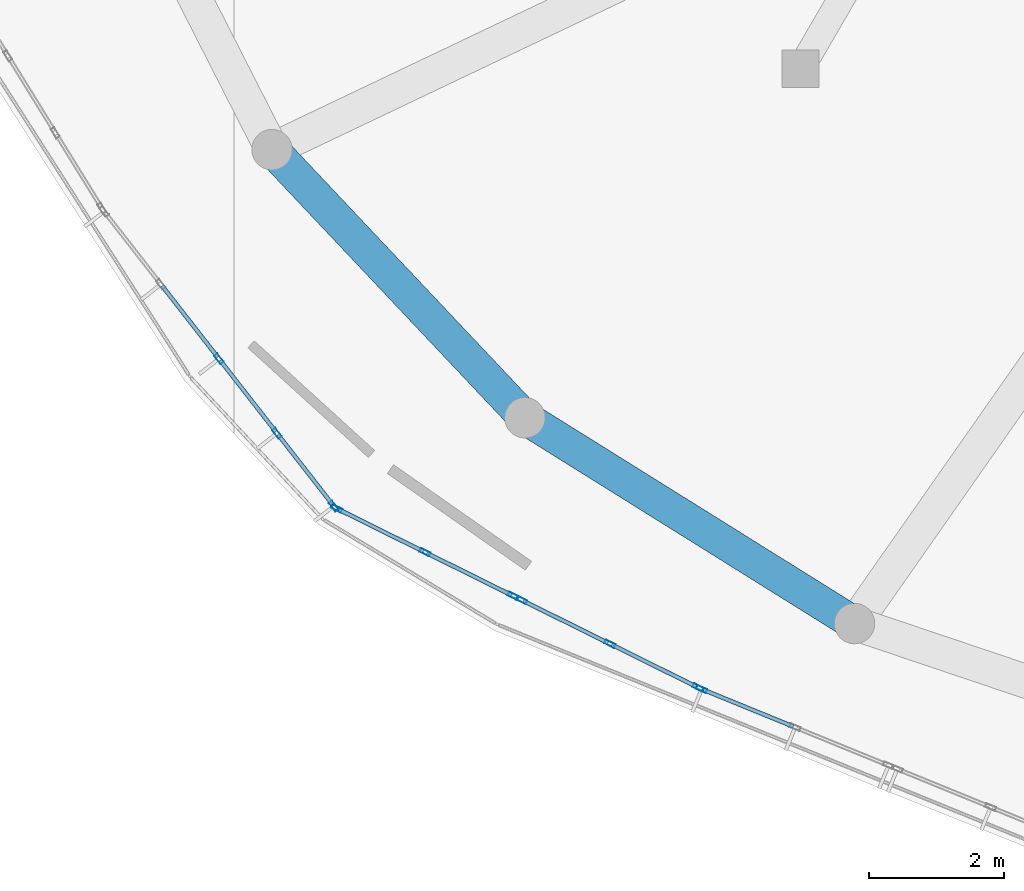
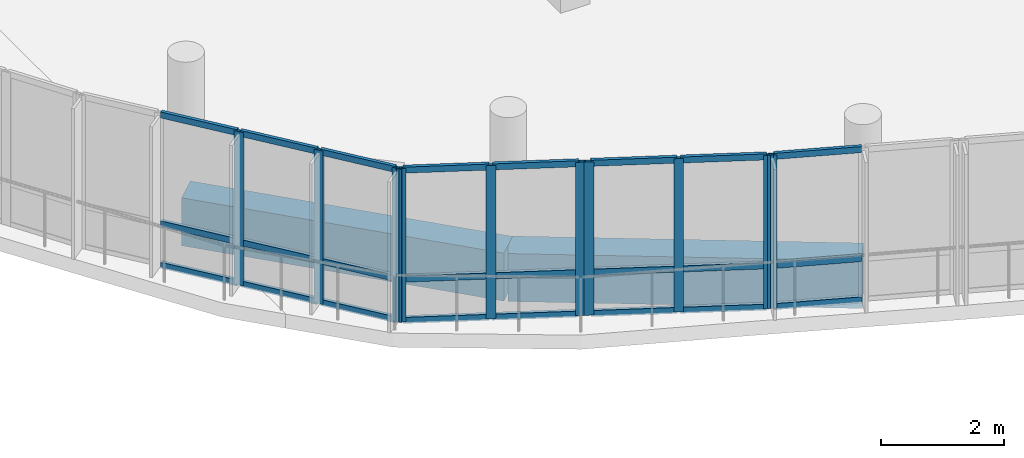
# One storey, part 4 of 43: 34 members, 2 beams, 4 elements without a shape of their own.
"""IFC4 building model written with IfcOpenShell, lengths in metres."""

from ifc_helpers import new_model, si_unit, derived_unit, direction, frame, origin, origin_2d, place, context, subcontext, project, spatial, rectangle, hollow_rectangle, extrude, material, layer, layer_set, material_profile, profile_set, type_object, element, aggregate, save


model = new_model("IFC4")

# Units and contexts
model_context = context("Model", 3, precision=1e-05, world=origin(), true_north=direction((0.0, 1.0)))
body_context = subcontext(model_context, "Body", "Model", "MODEL_VIEW")
ifc_project = project(units=[si_unit("LENGTHUNIT", "METRE"), si_unit("AREAUNIT", "SQUARE_METRE"), si_unit("VOLUMEUNIT", "CUBIC_METRE"), si_unit("PLANEANGLEUNIT", "RADIAN"), si_unit("MASSUNIT", "GRAM", prefix="KILO"), derived_unit("THERMALTRANSMITTANCEUNIT", [(si_unit("POWERUNIT", "WATT"), 1), (si_unit("LENGTHUNIT", "METRE"), -2), (si_unit("THERMODYNAMICTEMPERATUREUNIT", "KELVIN"), -1)])], contexts=[model_context])

# Site, building, storey
site_placement = place(None, origin())
site = spatial("IfcSite", under=ifc_project, at=site_placement, CompositionType="ELEMENT")
building_placement = place(site_placement, origin())
building = spatial("IfcBuilding", under=site, at=building_placement, Name="Elbkamm Science Centre", CompositionType="ELEMENT")
storey_placement = place(building_placement, frame((0.0, 0.0, 18.300048828125)))
storey = spatial("IfcBuildingStorey", under=building, at=storey_placement, Name="L04", CompositionType="ELEMENT", Elevation=18.300048828125)

# Beams
ifc_material_1 = material(Name="Concrete C40/50", Category="concrete")
ifc_material_profile_1 = material_profile(ifc_material_1, rectangle(XDim=0.5, YDim=0.949951171875, at=origin_2d()), Name="RC 500x950")
ifc_profile_set_1 = profile_set([ifc_material_profile_1], Name="Concrete C40/50")
beam_type = type_object("IfcBeamType", Name="BM-RC-500x950", PredefinedType="BEAM", material=ifc_profile_set_1)
beam_1_placement = place(storey_placement, frame((42.56201171875, 57.60009765625, -0.755126953125), z_axis=(0.686122314522, -0.727486198848, 0.0), x_axis=(0.727486198848, 0.686122314522, 0.0)))
element("IfcBeam", 1, at=beam_1_placement, inside=storey, type_object=beam_type, Name="L04 Elliptical Shell Perimeter Ring Beam 15", PredefinedType="SPANDREL", context=body_context, shape_type="SweptSolid", body=[
    extrude(rectangle(XDim=0.5, YDim=0.949951171875, at=origin_2d()), origin(), (0.0, 0.0, 1.0), 5.465576171875),
])
beam_2_placement = place(storey_placement, frame((46.31201171875, 53.6240234375, -0.755126953125), z_axis=(0.848229099729, -0.529629487824, 0.0), x_axis=(0.529629487824, 0.848229099729, 0.0)))
element("IfcBeam", 2, at=beam_2_placement, inside=storey, type_object=beam_type, Name="L04 Elliptical Shell Perimeter Ring Beam 16", PredefinedType="SPANDREL", context=body_context, shape_type="SweptSolid", body=[
    extrude(rectangle(XDim=0.5, YDim=0.949951171875, at=origin_2d()), origin(), (0.0, 0.0, 1.0), 5.762451171875),
])

# Curtain wall, members
ifc_material_2 = material(Name="Powder-coated aluminium and triple low-E glazing", Category="aluminium")
ifc_layer_1 = layer(ifc_material_2, 0.159912109375)
ifc_layer_set_1 = layer_set([ifc_layer_1], Name="Powder-coated aluminium and triple low-E glazing")
curtain_wall_type_1 = type_object("IfcCurtainWallType", Name="CW-UNIT-5600x3040", PredefinedType="USERDEFINED", material=ifc_layer_set_1)
curtain_wall_1_placement = place(storey_placement, origin())
curtain_wall_1 = element("IfcCurtainWall", 3, at=curtain_wall_1_placement, inside=storey, type_object=curtain_wall_type_1, Name="L04 Unitised Curtain Wall 091", ObjectType="UNITISED CURTAIN WALL", PredefinedType="USERDEFINED")
ifc_material_3 = material(Name="Powder-coated aluminium EN AW-6060", Category="aluminium")
ifc_material_profile_2 = material_profile(ifc_material_3, hollow_rectangle(XDim=0.06005859375, YDim=0.159912109375, WallThickness=0.00390625, at=origin_2d()), Name="ALU M60x160")
ifc_profile_set_2 = profile_set([ifc_material_profile_2], Name="Powder-coated aluminium EN AW-6060")
member_type_1 = type_object("IfcMemberType", Name="CW-MUL-60x160", PredefinedType="MULLION", material=ifc_profile_set_2)
member_1_placement = place(storey_placement, frame((41.77490234375, 54.49853515625, 0.0), z_axis=(0.0, 0.0, 1.0), x_axis=(0.788678605009, 0.614805707522, 0.0)))
member_1 = element("IfcMember", 4, at=member_1_placement, type_object=member_type_1, Name="CW-044 mullion 3", PredefinedType="MULLION", context=body_context, shape_type="SweptSolid", body=[
    extrude(hollow_rectangle(XDim=0.06005859375, YDim=0.159912109375, WallThickness=0.00390625, at=origin_2d()), origin(), (0.0, 0.0, 1.0), 3.0400390625),
])
member_2_placement = place(storey_placement, frame((42.6357421875, 53.39453125, 0.0), z_axis=(0.0, 0.0, 1.0), x_axis=(0.788678605009, 0.614805707522, 0.0)))
member_2 = element("IfcMember", 5, at=member_2_placement, type_object=member_type_1, Name="CW-044 mullion 4", PredefinedType="MULLION", context=body_context, shape_type="SweptSolid", body=[
    extrude(hollow_rectangle(XDim=0.06005859375, YDim=0.159912109375, WallThickness=0.00390625, at=origin_2d()), origin(), (0.0, 0.0, 1.0), 3.0400390625),
])
member_3_placement = place(storey_placement, frame((43.477783203125, 52.31396484375, 0.0), z_axis=(0.0, 0.0, 1.0), x_axis=(0.788678605009, 0.614805707522, 0.0)))
member_3 = element("IfcMember", 6, at=member_3_placement, type_object=member_type_1, Name="CW-044 mullion 5", PredefinedType="MULLION", context=body_context, shape_type="SweptSolid", body=[
    extrude(hollow_rectangle(XDim=0.06005859375, YDim=0.159912109375, WallThickness=0.00390625, at=origin_2d()), origin(), (0.0, 0.0, 1.0), 3.0400390625),
])

ifc_layer_2 = layer(ifc_material_2, 0.159912109375)
ifc_layer_set_2 = layer_set([ifc_layer_2], Name="Powder-coated aluminium and triple low-E glazing")
curtain_wall_type_2 = type_object("IfcCurtainWallType", Name="CW-UNIT-2980x3040", PredefinedType="USERDEFINED", material=ifc_layer_set_2)
curtain_wall_2_placement = place(storey_placement, origin())
curtain_wall_2 = element("IfcCurtainWall", 7, at=curtain_wall_2_placement, inside=storey, type_object=curtain_wall_type_2, Name="L04 Unitised Curtain Wall 092", ObjectType="UNITISED CURTAIN WALL", PredefinedType="USERDEFINED")
member_4_placement = place(storey_placement, frame((43.523193359375, 52.277099609375, 0.0), z_axis=(0.0, 0.0, 1.0), x_axis=(0.443839909102, 0.896106095888, 0.0)))
member_4 = element("IfcMember", 8, at=member_4_placement, type_object=member_type_1, Name="CW-045 mullion 1", PredefinedType="MULLION", context=body_context, shape_type="SweptSolid", body=[
    extrude(hollow_rectangle(XDim=0.06005859375, YDim=0.159912109375, WallThickness=0.00390625, at=origin_2d()), origin(), (0.0, 0.0, 1.0), 3.0400390625),
])
member_5_placement = place(storey_placement, frame((44.8310546875, 51.62939453125, 0.0), z_axis=(0.0, 0.0, 1.0), x_axis=(0.443839909102, 0.896106095888, 0.0)))
member_5 = element("IfcMember", 9, at=member_5_placement, type_object=member_type_1, Name="CW-045 mullion 2", PredefinedType="MULLION", context=body_context, shape_type="SweptSolid", body=[
    extrude(hollow_rectangle(XDim=0.06005859375, YDim=0.159912109375, WallThickness=0.00390625, at=origin_2d()), origin(), (0.0, 0.0, 1.0), 3.0400390625),
])
member_6_placement = place(storey_placement, frame((46.138671875, 50.981689453125, 0.0), z_axis=(0.0, 0.0, 1.0), x_axis=(0.443839909102, 0.896106095888, 0.0)))
member_6 = element("IfcMember", 10, at=member_6_placement, type_object=member_type_1, Name="CW-045 mullion 3", PredefinedType="MULLION", context=body_context, shape_type="SweptSolid", body=[
    extrude(hollow_rectangle(XDim=0.06005859375, YDim=0.159912109375, WallThickness=0.00390625, at=origin_2d()), origin(), (0.0, 0.0, 1.0), 3.0400390625),
])

curtain_wall_3_placement = place(storey_placement, origin())
curtain_wall_3 = element("IfcCurtainWall", 11, at=curtain_wall_3_placement, inside=storey, type_object=curtain_wall_type_2, Name="L04 Unitised Curtain Wall 093", ObjectType="UNITISED CURTAIN WALL", PredefinedType="USERDEFINED")
member_7_placement = place(storey_placement, frame((46.26416015625, 50.91943359375, 0.0), z_axis=(0.0, 0.0, 1.0), x_axis=(0.443839909102, 0.896106095888, 0.0)))
member_7 = element("IfcMember", 12, at=member_7_placement, type_object=member_type_1, Name="CW-045 mullion 1", PredefinedType="MULLION", context=body_context, shape_type="SweptSolid", body=[
    extrude(hollow_rectangle(XDim=0.06005859375, YDim=0.159912109375, WallThickness=0.00390625, at=origin_2d()), origin(), (0.0, 0.0, 1.0), 3.0400390625),
])
member_8_placement = place(storey_placement, frame((47.572021484375, 50.271728515625, 0.0), z_axis=(0.0, 0.0, 1.0), x_axis=(0.443839909102, 0.896106095888, 0.0)))
member_8 = element("IfcMember", 13, at=member_8_placement, type_object=member_type_1, Name="CW-045 mullion 2", PredefinedType="MULLION", context=body_context, shape_type="SweptSolid", body=[
    extrude(hollow_rectangle(XDim=0.06005859375, YDim=0.159912109375, WallThickness=0.00390625, at=origin_2d()), origin(), (0.0, 0.0, 1.0), 3.0400390625),
])
member_9_placement = place(storey_placement, frame((48.879638671875, 49.6240234375, 0.0), z_axis=(0.0, 0.0, 1.0), x_axis=(0.443839909102, 0.896106095888, 0.0)))
member_9 = element("IfcMember", 14, at=member_9_placement, type_object=member_type_1, Name="CW-045 mullion 3", PredefinedType="MULLION", context=body_context, shape_type="SweptSolid", body=[
    extrude(hollow_rectangle(XDim=0.06005859375, YDim=0.159912109375, WallThickness=0.00390625, at=origin_2d()), origin(), (0.0, 0.0, 1.0), 3.0400390625),
])

# Curtain wall, member
ifc_layer_3 = layer(ifc_material_2, 0.159912109375)
ifc_layer_set_3 = layer_set([ifc_layer_3], Name="Powder-coated aluminium and triple low-E glazing")
curtain_wall_type_3 = type_object("IfcCurtainWallType", Name="CW-UNIT-3060x3040", PredefinedType="USERDEFINED", material=ifc_layer_set_3)
curtain_wall_4_placement = place(storey_placement, origin())
curtain_wall_4 = element("IfcCurtainWall", 15, at=curtain_wall_4_placement, inside=storey, type_object=curtain_wall_type_3, Name="L04 Unitised Curtain Wall 094", ObjectType="UNITISED CURTAIN WALL", PredefinedType="USERDEFINED")
member_10_placement = place(storey_placement, frame((48.934326171875, 49.599365234375, 0.0), z_axis=(0.0, 0.0, 1.0), x_axis=(0.378001302905, 0.925805063176, 0.0)))
member_10 = element("IfcMember", 16, at=member_10_placement, type_object=member_type_1, Name="CW-046 mullion 1", PredefinedType="MULLION", context=body_context, shape_type="SweptSolid", body=[
    extrude(hollow_rectangle(XDim=0.06005859375, YDim=0.159912109375, WallThickness=0.00390625, at=origin_2d()), origin(), (0.0, 0.0, 1.0), 3.0400390625),
])

# Member
ifc_material_profile_3 = material_profile(ifc_material_3, hollow_rectangle(XDim=0.06005859375, YDim=0.1201171875, WallThickness=0.00341796875, at=origin_2d()), Name="ALU T60x120")
ifc_profile_set_3 = profile_set([ifc_material_profile_3], Name="Powder-coated aluminium EN AW-6060")
member_type_2 = type_object("IfcMemberType", Name="CW-TRN-60x120", PredefinedType="USERDEFINED", material=ifc_profile_set_3)
member_11_placement = place(storey_placement, frame((40.932861328125, 55.578857421875, 0.030029296875), z_axis=(0.614823314188, -0.78866487961, 0.0), x_axis=(0.78866487961, 0.614823314188, 0.0)))
member_11 = element("IfcMember", 17, at=member_11_placement, type_object=member_type_2, Name="CW-044 transom 2.1", ObjectType="TRANSOM", PredefinedType="USERDEFINED", context=body_context, shape_type="SweptSolid", body=[
    extrude(hollow_rectangle(XDim=0.06005859375, YDim=0.1201171875, WallThickness=0.00341796875, at=origin_2d()), origin(), (0.0, 0.0, 1.0), 1.33984375),
])

member_12_placement = place(storey_placement, frame((40.932861328125, 55.578857421875, 0.849853515625), z_axis=(0.614823314188, -0.78866487961, 0.0), x_axis=(0.78866487961, 0.614823314188, 0.0)))
member_12 = element("IfcMember", 18, at=member_12_placement, type_object=member_type_2, Name="CW-044 transom 2.2", ObjectType="TRANSOM", PredefinedType="USERDEFINED", context=body_context, shape_type="SweptSolid", body=[
    extrude(hollow_rectangle(XDim=0.06005859375, YDim=0.1201171875, WallThickness=0.00341796875, at=origin_2d()), origin(), (0.0, 0.0, 1.0), 1.33984375),
])

member_13_placement = place(storey_placement, frame((40.932861328125, 55.578857421875, 3.010009765625), z_axis=(0.614823314188, -0.78866487961, 0.0), x_axis=(0.78866487961, 0.614823314188, 0.0)))
member_13 = element("IfcMember", 19, at=member_13_placement, type_object=member_type_2, Name="CW-044 transom 2.3", ObjectType="TRANSOM", PredefinedType="USERDEFINED", context=body_context, shape_type="SweptSolid", body=[
    extrude(hollow_rectangle(XDim=0.06005859375, YDim=0.1201171875, WallThickness=0.00341796875, at=origin_2d()), origin(), (0.0, 0.0, 1.0), 1.33984375),
])

member_14_placement = place(storey_placement, frame((41.79345703125, 54.474853515625, 0.030029296875), z_axis=(0.614823314188, -0.78866487961, 0.0), x_axis=(0.78866487961, 0.614823314188, 0.0)))
member_14 = element("IfcMember", 20, at=member_14_placement, type_object=member_type_2, Name="CW-044 transom 3.1", ObjectType="TRANSOM", PredefinedType="USERDEFINED", context=body_context, shape_type="SweptSolid", body=[
    extrude(hollow_rectangle(XDim=0.06005859375, YDim=0.1201171875, WallThickness=0.00341796875, at=origin_2d()), origin(), (0.0, 0.0, 1.0), 1.33984375),
])

member_15_placement = place(storey_placement, frame((41.79345703125, 54.474853515625, 0.849853515625), z_axis=(0.614823314188, -0.78866487961, 0.0), x_axis=(0.78866487961, 0.614823314188, 0.0)))
member_15 = element("IfcMember", 21, at=member_15_placement, type_object=member_type_2, Name="CW-044 transom 3.2", ObjectType="TRANSOM", PredefinedType="USERDEFINED", context=body_context, shape_type="SweptSolid", body=[
    extrude(hollow_rectangle(XDim=0.06005859375, YDim=0.1201171875, WallThickness=0.00341796875, at=origin_2d()), origin(), (0.0, 0.0, 1.0), 1.33984375),
])

member_16_placement = place(storey_placement, frame((41.79345703125, 54.474853515625, 3.010009765625), z_axis=(0.614823314188, -0.78866487961, 0.0), x_axis=(0.78866487961, 0.614823314188, 0.0)))
member_16 = element("IfcMember", 22, at=member_16_placement, type_object=member_type_2, Name="CW-044 transom 3.3", ObjectType="TRANSOM", PredefinedType="USERDEFINED", context=body_context, shape_type="SweptSolid", body=[
    extrude(hollow_rectangle(XDim=0.06005859375, YDim=0.1201171875, WallThickness=0.00341796875, at=origin_2d()), origin(), (0.0, 0.0, 1.0), 1.33984375),
])

member_17_placement = place(storey_placement, frame((42.654052734375, 53.370849609375, 0.030029296875), z_axis=(0.614804673333, -0.788679411198, 0.0), x_axis=(0.788679411198, 0.614804673333, 0.0)))
member_17 = element("IfcMember", 23, at=member_17_placement, type_object=member_type_2, Name="CW-044 transom 4.1", ObjectType="TRANSOM", PredefinedType="USERDEFINED", context=body_context, shape_type="SweptSolid", body=[
    extrude(hollow_rectangle(XDim=0.06005859375, YDim=0.1201171875, WallThickness=0.00341796875, at=origin_2d()), origin(), (0.0, 0.0, 1.0), 1.31005859375),
])

member_18_placement = place(storey_placement, frame((42.654052734375, 53.370849609375, 0.849853515625), z_axis=(0.614804673333, -0.788679411198, 0.0), x_axis=(0.788679411198, 0.614804673333, 0.0)))
member_18 = element("IfcMember", 24, at=member_18_placement, type_object=member_type_2, Name="CW-044 transom 4.2", ObjectType="TRANSOM", PredefinedType="USERDEFINED", context=body_context, shape_type="SweptSolid", body=[
    extrude(hollow_rectangle(XDim=0.06005859375, YDim=0.1201171875, WallThickness=0.00341796875, at=origin_2d()), origin(), (0.0, 0.0, 1.0), 1.31005859375),
])

member_19_placement = place(storey_placement, frame((42.654052734375, 53.370849609375, 3.010009765625), z_axis=(0.614804673333, -0.788679411198, 0.0), x_axis=(0.788679411198, 0.614804673333, 0.0)))
member_19 = element("IfcMember", 25, at=member_19_placement, type_object=member_type_2, Name="CW-044 transom 4.3", ObjectType="TRANSOM", PredefinedType="USERDEFINED", context=body_context, shape_type="SweptSolid", body=[
    extrude(hollow_rectangle(XDim=0.06005859375, YDim=0.1201171875, WallThickness=0.00341796875, at=origin_2d()), origin(), (0.0, 0.0, 1.0), 1.31005859375),
])

aggregate(curtain_wall_1, [member_1, member_2, member_3, member_11, member_12, member_13, member_14, member_15, member_16, member_17, member_18, member_19])

member_20_placement = place(storey_placement, frame((43.550048828125, 52.263671875, 0.030029296875), z_axis=(0.896095863357, -0.443860567831, 0.0), x_axis=(0.443860567831, 0.896095863357, 0.0)))
member_20 = element("IfcMember", 26, at=member_20_placement, type_object=member_type_2, Name="CW-045 transom 1.1", ObjectType="TRANSOM", PredefinedType="USERDEFINED", context=body_context, shape_type="SweptSolid", body=[
    extrude(hollow_rectangle(XDim=0.06005859375, YDim=0.1201171875, WallThickness=0.00341796875, at=origin_2d()), origin(), (0.0, 0.0, 1.0), 1.3994140625),
])

member_21_placement = place(storey_placement, frame((43.550048828125, 52.263671875, 0.849853515625), z_axis=(0.896095863357, -0.443860567831, 0.0), x_axis=(0.443860567831, 0.896095863357, 0.0)))
member_21 = element("IfcMember", 27, at=member_21_placement, type_object=member_type_2, Name="CW-045 transom 1.2", ObjectType="TRANSOM", PredefinedType="USERDEFINED", context=body_context, shape_type="SweptSolid", body=[
    extrude(hollow_rectangle(XDim=0.06005859375, YDim=0.1201171875, WallThickness=0.00341796875, at=origin_2d()), origin(), (0.0, 0.0, 1.0), 1.3994140625),
])

member_22_placement = place(storey_placement, frame((43.550048828125, 52.263671875, 3.010009765625), z_axis=(0.896095863357, -0.443860567831, 0.0), x_axis=(0.443860567831, 0.896095863357, 0.0)))
member_22 = element("IfcMember", 28, at=member_22_placement, type_object=member_type_2, Name="CW-045 transom 1.3", ObjectType="TRANSOM", PredefinedType="USERDEFINED", context=body_context, shape_type="SweptSolid", body=[
    extrude(hollow_rectangle(XDim=0.06005859375, YDim=0.1201171875, WallThickness=0.00341796875, at=origin_2d()), origin(), (0.0, 0.0, 1.0), 1.3994140625),
])

member_23_placement = place(storey_placement, frame((44.85791015625, 51.615966796875, 0.030029296875), z_axis=(0.896095863357, -0.443860567831, 0.0), x_axis=(0.443860567831, 0.896095863357, 0.0)))
member_23 = element("IfcMember", 29, at=member_23_placement, type_object=member_type_2, Name="CW-045 transom 2.1", ObjectType="TRANSOM", PredefinedType="USERDEFINED", context=body_context, shape_type="SweptSolid", body=[
    extrude(hollow_rectangle(XDim=0.06005859375, YDim=0.1201171875, WallThickness=0.00341796875, at=origin_2d()), origin(), (0.0, 0.0, 1.0), 1.3994140625),
])

member_24_placement = place(storey_placement, frame((44.85791015625, 51.615966796875, 0.849853515625), z_axis=(0.896095863357, -0.443860567831, 0.0), x_axis=(0.443860567831, 0.896095863357, 0.0)))
member_24 = element("IfcMember", 30, at=member_24_placement, type_object=member_type_2, Name="CW-045 transom 2.2", ObjectType="TRANSOM", PredefinedType="USERDEFINED", context=body_context, shape_type="SweptSolid", body=[
    extrude(hollow_rectangle(XDim=0.06005859375, YDim=0.1201171875, WallThickness=0.00341796875, at=origin_2d()), origin(), (0.0, 0.0, 1.0), 1.3994140625),
])

member_25_placement = place(storey_placement, frame((44.85791015625, 51.615966796875, 3.010009765625), z_axis=(0.896095863357, -0.443860567831, 0.0), x_axis=(0.443860567831, 0.896095863357, 0.0)))
member_25 = element("IfcMember", 31, at=member_25_placement, type_object=member_type_2, Name="CW-045 transom 2.3", ObjectType="TRANSOM", PredefinedType="USERDEFINED", context=body_context, shape_type="SweptSolid", body=[
    extrude(hollow_rectangle(XDim=0.06005859375, YDim=0.1201171875, WallThickness=0.00341796875, at=origin_2d()), origin(), (0.0, 0.0, 1.0), 1.3994140625),
])

aggregate(curtain_wall_2, [member_4, member_5, member_6, member_20, member_21, member_22, member_23, member_24, member_25])

member_26_placement = place(storey_placement, frame((46.291015625, 50.906005859375, 0.030029296875), z_axis=(0.896130228705, -0.443791181979, 0.0), x_axis=(0.443791181979, 0.896130228705, 0.0)))
member_26 = element("IfcMember", 32, at=member_26_placement, type_object=member_type_2, Name="CW-045 transom 1.1", ObjectType="TRANSOM", PredefinedType="USERDEFINED", context=body_context, shape_type="SweptSolid", body=[
    extrude(hollow_rectangle(XDim=0.06005859375, YDim=0.1201171875, WallThickness=0.00341796875, at=origin_2d()), origin(), (0.0, 0.0, 1.0), 1.3994140625),
])

member_27_placement = place(storey_placement, frame((46.291015625, 50.906005859375, 0.849853515625), z_axis=(0.896130228705, -0.443791181979, 0.0), x_axis=(0.443791181979, 0.896130228705, 0.0)))
member_27 = element("IfcMember", 33, at=member_27_placement, type_object=member_type_2, Name="CW-045 transom 1.2", ObjectType="TRANSOM", PredefinedType="USERDEFINED", context=body_context, shape_type="SweptSolid", body=[
    extrude(hollow_rectangle(XDim=0.06005859375, YDim=0.1201171875, WallThickness=0.00341796875, at=origin_2d()), origin(), (0.0, 0.0, 1.0), 1.3994140625),
])

member_28_placement = place(storey_placement, frame((46.291015625, 50.906005859375, 3.010009765625), z_axis=(0.896130228705, -0.443791181979, 0.0), x_axis=(0.443791181979, 0.896130228705, 0.0)))
member_28 = element("IfcMember", 34, at=member_28_placement, type_object=member_type_2, Name="CW-045 transom 1.3", ObjectType="TRANSOM", PredefinedType="USERDEFINED", context=body_context, shape_type="SweptSolid", body=[
    extrude(hollow_rectangle(XDim=0.06005859375, YDim=0.1201171875, WallThickness=0.00341796875, at=origin_2d()), origin(), (0.0, 0.0, 1.0), 1.3994140625),
])

member_29_placement = place(storey_placement, frame((47.598876953125, 50.25830078125, 0.030029296875), z_axis=(0.896095863357, -0.443860567831, 0.0), x_axis=(0.443860567831, 0.896095863357, 0.0)))
member_29 = element("IfcMember", 35, at=member_29_placement, type_object=member_type_2, Name="CW-045 transom 2.1", ObjectType="TRANSOM", PredefinedType="USERDEFINED", context=body_context, shape_type="SweptSolid", body=[
    extrude(hollow_rectangle(XDim=0.06005859375, YDim=0.1201171875, WallThickness=0.00341796875, at=origin_2d()), origin(), (0.0, 0.0, 1.0), 1.3994140625),
])

member_30_placement = place(storey_placement, frame((47.598876953125, 50.25830078125, 0.849853515625), z_axis=(0.896095863357, -0.443860567831, 0.0), x_axis=(0.443860567831, 0.896095863357, 0.0)))
member_30 = element("IfcMember", 36, at=member_30_placement, type_object=member_type_2, Name="CW-045 transom 2.2", ObjectType="TRANSOM", PredefinedType="USERDEFINED", context=body_context, shape_type="SweptSolid", body=[
    extrude(hollow_rectangle(XDim=0.06005859375, YDim=0.1201171875, WallThickness=0.00341796875, at=origin_2d()), origin(), (0.0, 0.0, 1.0), 1.3994140625),
])

member_31_placement = place(storey_placement, frame((47.598876953125, 50.25830078125, 3.010009765625), z_axis=(0.896095863357, -0.443860567831, 0.0), x_axis=(0.443860567831, 0.896095863357, 0.0)))
member_31 = element("IfcMember", 37, at=member_31_placement, type_object=member_type_2, Name="CW-045 transom 2.3", ObjectType="TRANSOM", PredefinedType="USERDEFINED", context=body_context, shape_type="SweptSolid", body=[
    extrude(hollow_rectangle(XDim=0.06005859375, YDim=0.1201171875, WallThickness=0.00341796875, at=origin_2d()), origin(), (0.0, 0.0, 1.0), 1.3994140625),
])

aggregate(curtain_wall_3, [member_7, member_8, member_9, member_26, member_27, member_28, member_29, member_30, member_31])

member_32_placement = place(storey_placement, frame((48.962158203125, 49.587890625, 0.030029296875), z_axis=(0.925779655957, -0.378063524577, 0.0), x_axis=(0.378063524577, 0.925779655957, 0.0)))
member_32 = element("IfcMember", 38, at=member_32_placement, type_object=member_type_2, Name="CW-046 transom 1.1", ObjectType="TRANSOM", PredefinedType="USERDEFINED", context=body_context, shape_type="SweptSolid", body=[
    extrude(hollow_rectangle(XDim=0.06005859375, YDim=0.1201171875, WallThickness=0.00341796875, at=origin_2d()), origin(), (0.0, 0.0, 1.0), 1.436279296875),
])

member_33_placement = place(storey_placement, frame((48.962158203125, 49.587890625, 0.849853515625), z_axis=(0.925779655957, -0.378063524577, 0.0), x_axis=(0.378063524577, 0.925779655957, 0.0)))
member_33 = element("IfcMember", 39, at=member_33_placement, type_object=member_type_2, Name="CW-046 transom 1.2", ObjectType="TRANSOM", PredefinedType="USERDEFINED", context=body_context, shape_type="SweptSolid", body=[
    extrude(hollow_rectangle(XDim=0.06005859375, YDim=0.1201171875, WallThickness=0.00341796875, at=origin_2d()), origin(), (0.0, 0.0, 1.0), 1.436279296875),
])

member_34_placement = place(storey_placement, frame((48.962158203125, 49.587890625, 3.010009765625), z_axis=(0.925779655957, -0.378063524577, 0.0), x_axis=(0.378063524577, 0.925779655957, 0.0)))
member_34 = element("IfcMember", 40, at=member_34_placement, type_object=member_type_2, Name="CW-046 transom 1.3", ObjectType="TRANSOM", PredefinedType="USERDEFINED", context=body_context, shape_type="SweptSolid", body=[
    extrude(hollow_rectangle(XDim=0.06005859375, YDim=0.1201171875, WallThickness=0.00341796875, at=origin_2d()), origin(), (0.0, 0.0, 1.0), 1.436279296875),
])

aggregate(curtain_wall_4, [member_10, member_32, member_33, member_34])

save(model, "model.ifc")
